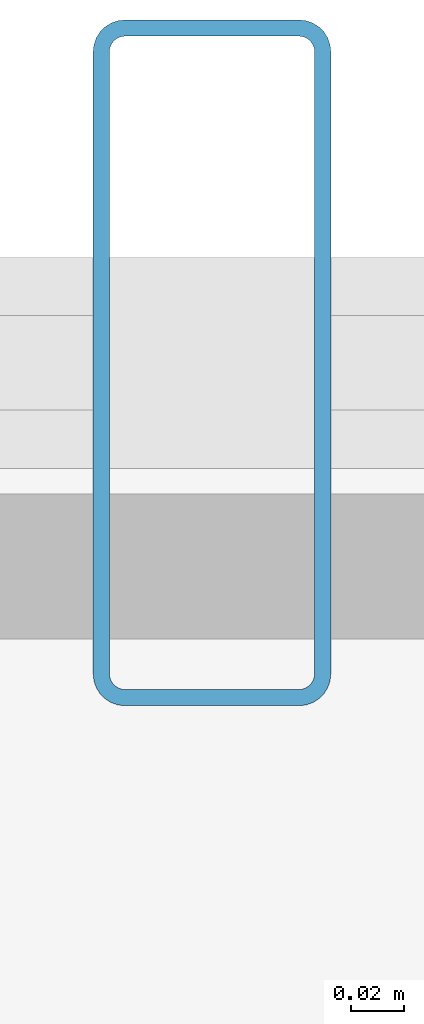
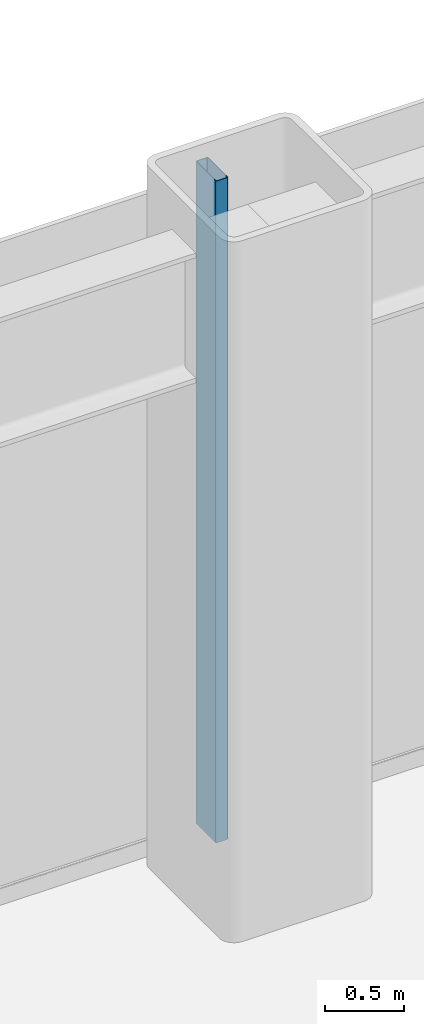
# One storey, part 10 of 24: 1 member, 1 element without a shape of its own.
"""IFC4 building model written with IfcOpenShell, lengths in metres."""

from ifc_helpers import new_model, si_unit, direction, frame, origin, origin_2d, place, context, subcontext, project, spatial, hollow_rectangle, extrude, source, transform, mapped, material, layer, layer_set, material_profile, profile_set, type_object, element, aggregate, save


model = new_model("IFC4")

# Units and contexts
model_context = context("Model", 3, precision=1e-05, world=origin(), true_north=direction((0.0, 1.0)))
body_context = subcontext(model_context, "Body", "Model", "MODEL_VIEW")
ifc_project = project(units=[si_unit("LENGTHUNIT", "METRE"), si_unit("AREAUNIT", "SQUARE_METRE"), si_unit("VOLUMEUNIT", "CUBIC_METRE"), si_unit("PLANEANGLEUNIT", "RADIAN"), si_unit("MASSUNIT", "GRAM", prefix="KILO")], contexts=[model_context])

# Site, building, storey
site_placement = place(None, origin())
site = spatial("IfcSite", under=ifc_project, at=site_placement, CompositionType="ELEMENT")
building_placement = place(site_placement, origin())
building = spatial("IfcBuilding", under=site, at=building_placement, Name="Nefas-Gora Pilgrimage Tower", CompositionType="ELEMENT")
storey_placement = place(building_placement, frame((0.0, 0.0, 11.39990234375)))
storey = spatial("IfcBuildingStorey", under=building, at=storey_placement, Name="L02", CompositionType="ELEMENT", Elevation=11.39990234375)

# Curtain wall, member
ifc_material_1 = material(Name="Dark ceramic-fritted solar-control aluminium-glass curtain wall", Category="aluminium")
ifc_layer = layer(ifc_material_1, 0.219970703125)
ifc_layer_set = layer_set([ifc_layer], Name="Dark ceramic-fritted solar-control aluminium-glass curtain wall")
curtain_wall_type = type_object("IfcCurtainWallType", Name="CW-SYS-1", PredefinedType="NOTDEFINED", material=ifc_layer_set)
curtain_wall_placement = place(storey_placement, origin())
curtain_wall = element("IfcCurtainWall", 1, at=curtain_wall_placement, inside=storey, type_object=curtain_wall_type, Name="L02 Unitised Curtain Wall CW1", PredefinedType="NOTDEFINED")
ifc_material_2 = material(Name="Anodised architectural aluminium", Category="aluminium")
ifc_material_profile = material_profile(ifc_material_2, hollow_rectangle(XDim=0.090087890625, YDim=0.260009765625, WallThickness=0.006103515625, InnerFilletRadius=0.006103515625, OuterFilletRadius=0.011962890625, at=origin_2d()), Name="ALU MULLION 90x260")
ifc_profile_set = profile_set([ifc_material_profile], Name="Anodised architectural aluminium")
member_type = type_object("IfcMemberType", Name="CWM-MUL-1", PredefinedType="MULLION", material=ifc_profile_set)
shared_shape = source(origin(), body_context, "Body", "SweptSolid", [
    extrude(hollow_rectangle(XDim=0.090087890625, YDim=0.260009765625, WallThickness=0.006103515625, InnerFilletRadius=0.006103515625, OuterFilletRadius=0.011962890625, at=origin_2d()), origin(), (0.0, 0.0, 1.0), 5.10009765625),
])
member_placement = place(storey_placement, frame((0.0, 25.199951171875, 0.0), z_axis=(0.0, 0.0, 1.0), x_axis=(-1.0, 0.0, 0.0)))
member = element("IfcMember", 2, at=member_placement, type_object=member_type, Name="CW1 Mullion 2", PredefinedType="MULLION", context=body_context, shape_type="MappedRepresentation", body=[
    mapped(shared_shape, transform((0.0, 0.0, 0.0), x_axis=(1.0, 0.0, 0.0), y_axis=(0.0, 1.0, 0.0), z_axis=(0.0, 0.0, 1.0), scale=1.0)),
])
aggregate(curtain_wall, [member])

save(model, "model.ifc")
